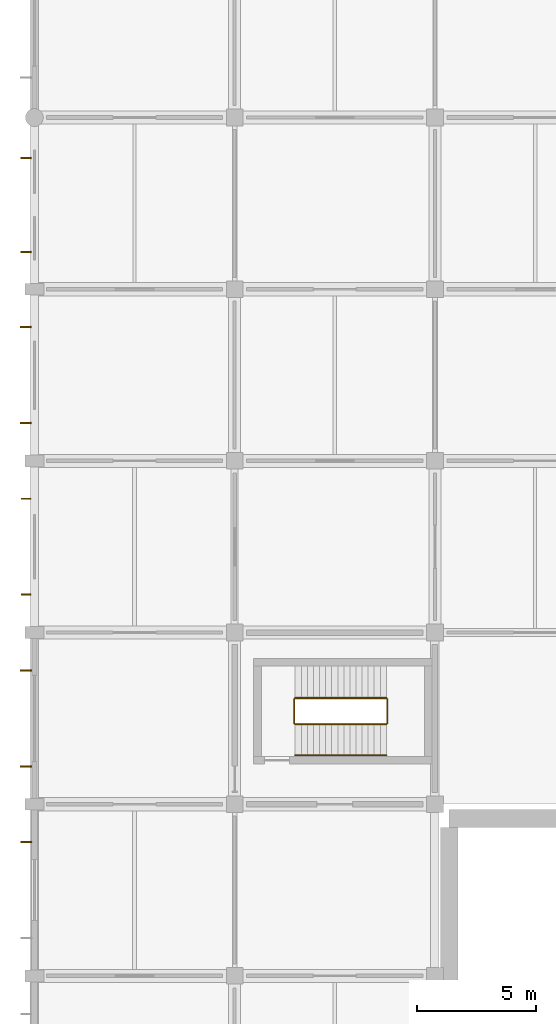
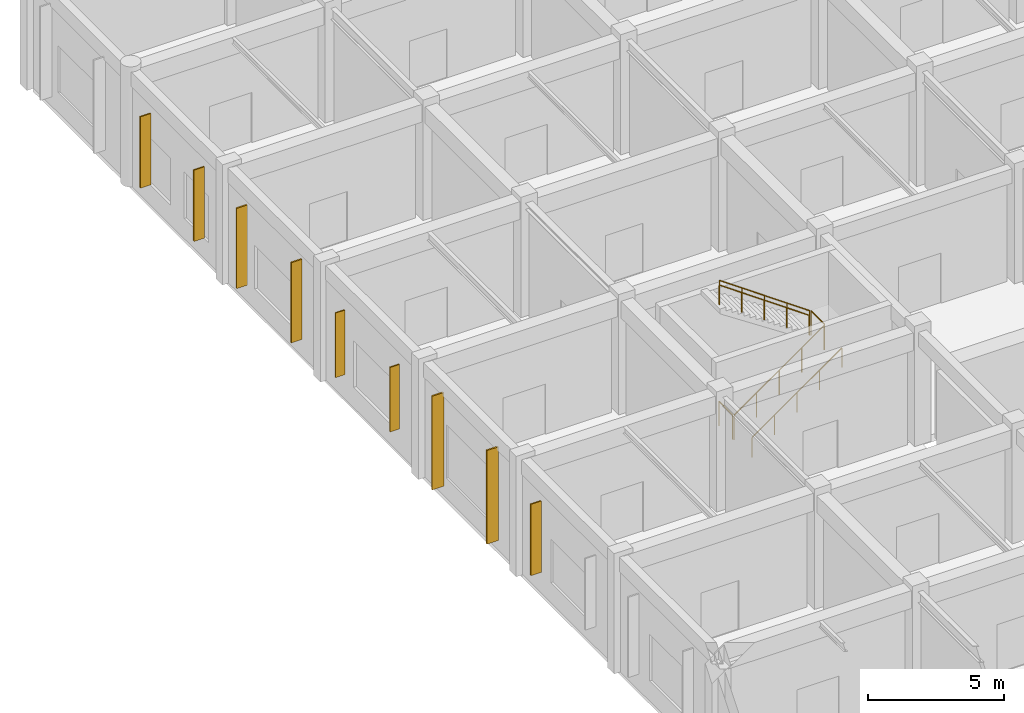
# One storey, part 34 of 41: 9 shading devices, 6 railings.
"""IFC4 building model written with IfcOpenShell, lengths in metres."""

from ifc_helpers import new_model, si_unit, derived_unit, direction, frame, origin, origin_2d, place, context, subcontext, project, spatial, rectangle, circle, extrude, material, layer, layer_set, type_object, element, save


model = new_model("IFC4")

# Units and contexts
model_context = context("Model", 3, precision=1e-05, world=origin(), true_north=direction((0.0, 1.0)))
body_context = subcontext(model_context, "Body", "Model", "MODEL_VIEW")
ifc_project = project(units=[si_unit("LENGTHUNIT", "METRE"), si_unit("AREAUNIT", "SQUARE_METRE"), si_unit("VOLUMEUNIT", "CUBIC_METRE"), si_unit("PLANEANGLEUNIT", "RADIAN"), si_unit("MASSUNIT", "GRAM", prefix="KILO"), derived_unit("THERMALTRANSMITTANCEUNIT", [(si_unit("MASSUNIT", "GRAM", prefix="KILO"), 1), (si_unit("TIMEUNIT", "SECOND"), -3), (si_unit("THERMODYNAMICTEMPERATUREUNIT", "KELVIN"), -1)])], contexts=[model_context])

# Site, building, storey
site_placement = place(None, origin())
site = spatial("IfcSite", under=ifc_project, at=site_placement, CompositionType="ELEMENT")
building_placement = place(site_placement, origin())
building = spatial("IfcBuilding", under=site, at=building_placement, Name="Veldstrom Oceanarium and Marine Research Institute", CompositionType="ELEMENT")
storey_placement = place(building_placement, frame((0.0, 0.0, 6.0)))
storey = spatial("IfcBuildingStorey", under=building, at=storey_placement, Name="L01", CompositionType="ELEMENT", Elevation=6.0)

# Railings
ifc_material_1 = material(Name="Duplex Stainless Steel Balustrade", Category="steel")
ifc_layer_1 = layer(ifc_material_1, 0.06005859375)
ifc_layer_set_1 = layer_set([ifc_layer_1], Name="ARC-RLG-GR1")
railing_type_1 = type_object("IfcRailingType", Name="ARC-RLG-GR1", PredefinedType="GUARDRAIL", material=ifc_layer_set_1)
railing_1_placement = place(storey_placement, frame((10.89990234375, 39.39990234375, 0.0)))
element("IfcRailing", 1, at=railing_1_placement, inside=storey, type_object=railing_type_1, Name="Stair Well Landing Guard ST3 L01", PredefinedType="GUARDRAIL", context=body_context, shape_type="SweptSolid", body=[
    extrude(circle(Radius=0.02392578125, at=origin_2d()), frame((0.0, 0.0, 1.09619140625), z_axis=(0.0, 1.0, 0.0), x_axis=(-1.0, 0.0, 0.0)), (0.0, 0.0, 1.0), 1.0),
    extrude(circle(Radius=0.02099609375, at=origin_2d()), origin(), (0.0, 0.0, 1.0), 1.072021484375),
    extrude(circle(Radius=0.02099609375, at=origin_2d()), frame((0.0, 1.0, 0.0)), (0.0, 0.0, 1.0), 1.072021484375),
])
railing_2_placement = place(storey_placement, frame((10.93994140625, 39.360107421875, 0.0)))
element("IfcRailing", 2, at=railing_2_placement, inside=storey, type_object=railing_type_1, Name="Stair Flight Guardrail ST3-L01-1", PredefinedType="GUARDRAIL", context=body_context, shape_type="SweptSolid", body=[
    extrude(circle(Radius=0.02392578125, at=origin_2d()), frame((0.0, 0.0, 1.09619140625), z_axis=(0.816969308413, 0.0, 0.5766811503), x_axis=(0.0, 1.0, 0.0)), (0.0, 0.0, 1.0), 4.681884765625),
    extrude(circle(Radius=0.02099609375, at=origin_2d()), origin(), (0.0, 0.0, 1.0), 1.072021484375),
    extrude(circle(Radius=0.02099609375, at=origin_2d()), frame((0.956298828125, 0.0, 0.675048828125)), (0.0, 0.0, 1.0), 1.072021484375),
    extrude(circle(Radius=0.02099609375, at=origin_2d()), frame((1.91259765625, 0.0, 1.35009765625)), (0.0, 0.0, 1.0), 1.072021484375),
    extrude(circle(Radius=0.02099609375, at=origin_2d()), frame((2.86865234375, 0.0, 2.02490234375)), (0.0, 0.0, 1.0), 1.072021484375),
    extrude(circle(Radius=0.02099609375, at=origin_2d()), frame((3.824951171875, 0.0, 2.699951171875)), (0.0, 0.0, 1.0), 1.072021484375),
])
railing_3_placement = place(storey_placement, frame((14.804931640625, 39.39990234375, 2.699951171875)))
element("IfcRailing", 3, at=railing_3_placement, inside=storey, type_object=railing_type_1, Name="Stair Half-Landing Guardrail ST3-L01", PredefinedType="GUARDRAIL", context=body_context, shape_type="SweptSolid", body=[
    extrude(circle(Radius=0.02392578125, at=origin_2d()), frame((0.0, 0.0, 1.09619140625), z_axis=(0.0, 1.0, 0.0), x_axis=(-1.0, 0.0, 0.0)), (0.0, 0.0, 1.0), 1.0),
    extrude(circle(Radius=0.02099609375, at=origin_2d()), origin(), (0.0, 0.0, 1.0), 1.072021484375),
    extrude(circle(Radius=0.02099609375, at=origin_2d()), frame((0.0, 1.0, 0.0)), (0.0, 0.0, 1.0), 1.072021484375),
])
railing_4_placement = place(storey_placement, frame((14.764892578125, 40.43994140625, 2.699951171875)))
element("IfcRailing", 4, at=railing_4_placement, inside=storey, type_object=railing_type_1, Name="Stair Flight Guardrail ST3-L01-2", PredefinedType="GUARDRAIL", context=body_context, shape_type="SweptSolid", body=[
    extrude(circle(Radius=0.02392578125, at=origin_2d()), frame((0.0, 0.0, 1.09619140625), z_axis=(-0.816969308413, 0.0, 0.5766811503), x_axis=(0.0, -1.0, 0.0)), (0.0, 0.0, 1.0), 4.681884765625),
    extrude(circle(Radius=0.02099609375, at=origin_2d()), origin(), (0.0, 0.0, 1.0), 1.072021484375),
    extrude(circle(Radius=0.02099609375, at=origin_2d()), frame((-0.956298828125, 0.0, 0.675048828125)), (0.0, 0.0, 1.0), 1.072021484375),
    extrude(circle(Radius=0.02099609375, at=origin_2d()), frame((-1.91259765625, 0.0, 1.35009765625)), (0.0, 0.0, 1.0), 1.072021484375),
    extrude(circle(Radius=0.02099609375, at=origin_2d()), frame((-2.86865234375, 0.0, 2.02490234375)), (0.0, 0.0, 1.0), 1.072021484375),
    extrude(circle(Radius=0.02099609375, at=origin_2d()), frame((-3.824951171875, 0.0, 2.699951171875)), (0.0, 0.0, 1.0), 1.072021484375),
])
ifc_material_2 = material(Name="Brushed Stainless Steel Handrail", Category="steel")
ifc_layer_2 = layer(ifc_material_2, 0.050048828125)
ifc_layer_set_2 = layer_set([ifc_layer_2], Name="ARC-RLG-HR1")
railing_type_2 = type_object("IfcRailingType", Name="ARC-RLG-HR1", PredefinedType="HANDRAIL", material=ifc_layer_set_2)
railing_5_placement = place(storey_placement, frame((10.93994140625, 38.06005859375, 0.0)))
element("IfcRailing", 5, at=railing_5_placement, inside=storey, type_object=railing_type_2, Name="Stair Wall Handrail ST3-L01-1", PredefinedType="HANDRAIL", context=body_context, shape_type="SweptSolid", body=[
    extrude(circle(Radius=0.02392578125, at=origin_2d()), frame((0.0, 0.0, 0.8759765625), z_axis=(0.816969308413, 0.0, 0.5766811503), x_axis=(0.0, 1.0, 0.0)), (0.0, 0.0, 1.0), 4.681884765625),
    extrude(circle(Radius=0.02099609375, at=origin_2d()), origin(), (0.0, 0.0, 1.0), 0.851806640625),
    extrude(circle(Radius=0.02099609375, at=origin_2d()), frame((0.956298828125, 0.0, 0.675048828125)), (0.0, 0.0, 1.0), 0.851806640625),
    extrude(circle(Radius=0.02099609375, at=origin_2d()), frame((1.91259765625, 0.0, 1.35009765625)), (0.0, 0.0, 1.0), 0.851806640625),
    extrude(circle(Radius=0.02099609375, at=origin_2d()), frame((2.86865234375, 0.0, 2.02490234375)), (0.0, 0.0, 1.0), 0.851806640625),
    extrude(circle(Radius=0.02099609375, at=origin_2d()), frame((3.824951171875, 0.0, 2.699951171875)), (0.0, 0.0, 1.0), 0.851806640625),
])
railing_6_placement = place(storey_placement, frame((14.764892578125, 40.4599609375, 2.699951171875)))
element("IfcRailing", 6, at=railing_6_placement, inside=storey, type_object=railing_type_2, Name="Stair Wall Handrail ST3-L01-2", PredefinedType="HANDRAIL", context=body_context, shape_type="SweptSolid", body=[
    extrude(circle(Radius=0.02392578125, at=origin_2d()), frame((0.0, 0.0, 0.8759765625), z_axis=(-0.816969308413, 0.0, 0.5766811503), x_axis=(0.0, -1.0, 0.0)), (0.0, 0.0, 1.0), 4.681884765625),
    extrude(circle(Radius=0.02099609375, at=origin_2d()), origin(), (0.0, 0.0, 1.0), 0.851806640625),
    extrude(circle(Radius=0.02099609375, at=origin_2d()), frame((-0.956298828125, 0.0, 0.675048828125)), (0.0, 0.0, 1.0), 0.851806640625),
    extrude(circle(Radius=0.02099609375, at=origin_2d()), frame((-1.91259765625, 0.0, 1.35009765625)), (0.0, 0.0, 1.0), 0.851806640625),
    extrude(circle(Radius=0.02099609375, at=origin_2d()), frame((-2.86865234375, 0.0, 2.02490234375)), (0.0, 0.0, 1.0), 0.851806640625),
    extrude(circle(Radius=0.02099609375, at=origin_2d()), frame((-3.824951171875, 0.0, 2.699951171875)), (0.0, 0.0, 1.0), 0.851806640625),
])

# Shading devices
ifc_material_3 = material(Name="Precast Terracotta Brise-Soleil Louvre", Category="masonry")
ifc_layer_3 = layer(ifc_material_3, 3.60009765625)
ifc_layer_set_3 = layer_set([ifc_layer_3], Name="ARC-SHD-BS01")
shading_device_type_1 = type_object("IfcShadingDeviceType", Name="ARC-SHD-BS01", PredefinedType="JALOUSIE", material=ifc_layer_set_3)
for number, where, z_axis, x_axis, name in (
    (7, (-0.364990234375, 51.989990234375, 0.737548828125), (0.0, 0.0, 1.0), (1.0, 0.0, 0.0), "Terracotta Brise-Soleil Louvre L01-028"),
    (8, (-0.364990234375, 56.010009765625, 0.737548828125), (0.0, 0.0, 1.0), (1.0, 0.0, 0.0), "Terracotta Brise-Soleil Louvre L01-028"),
):
    element("IfcShadingDevice", number, at=place(storey_placement, frame(where, z_axis=z_axis, x_axis=x_axis)), inside=storey, type_object=shading_device_type_1, Name=name, PredefinedType="JALOUSIE", context=body_context, shape_type="SweptSolid", body=[
        extrude(rectangle(XDim=0.449951171875, YDim=0.06005859375, at=origin_2d()), origin(), (0.0, 0.0, 1.0), 3.60009765625),
    ])
ifc_material_4 = material(Name="Precast Terracotta Brise-Soleil Louvre", Category="masonry")
ifc_layer_4 = layer(ifc_material_4, 3.199951171875)
ifc_layer_set_4 = layer_set([ifc_layer_4], Name="ARC-SHD-BS02")
shading_device_type_2 = type_object("IfcShadingDeviceType", Name="ARC-SHD-BS02", PredefinedType="JALOUSIE", material=ifc_layer_set_4)
for number, where, z_axis, x_axis, name in (
    (9, (-0.344970703125, 34.409912109375, 0.9375), (0.0, 0.0, 1.0), (1.0, 0.0, 0.0), "Terracotta Brise-Soleil Louvre L01-025"),
    (10, (-0.35498046875, 59.1650390625, 0.9375), (0.0, 0.0, 1.0), (1.0, 0.0, 0.0), "Terracotta Brise-Soleil Louvre L01-029"),
    (11, (-0.35498046875, 63.110107421875, 0.9375), (0.0, 0.0, 1.0), (1.0, 0.0, 0.0), "Terracotta Brise-Soleil Louvre L01-029"),
):
    element("IfcShadingDevice", number, at=place(storey_placement, frame(where, z_axis=z_axis, x_axis=x_axis)), inside=storey, type_object=shading_device_type_2, Name=name, PredefinedType="JALOUSIE", context=body_context, shape_type="SweptSolid", body=[
        extrude(rectangle(XDim=0.449951171875, YDim=0.06005859375, at=origin_2d()), origin(), (0.0, 0.0, 1.0), 3.199951171875),
    ])
ifc_material_5 = material(Name="Precast Terracotta Brise-Soleil Louvre", Category="masonry")
ifc_layer_5 = layer(ifc_material_5, 4.199951171875)
ifc_layer_set_5 = layer_set([ifc_layer_5], Name="ARC-SHD-BS03")
shading_device_type_3 = type_object("IfcShadingDeviceType", Name="ARC-SHD-BS03", PredefinedType="JALOUSIE", material=ifc_layer_set_5)
for number, where, z_axis, x_axis, name in (
    (12, (-0.3525390625, 37.590087890625, 0.4375), (0.0, 0.0, 1.0), (1.0, 0.0, 0.0), "Terracotta Brise-Soleil Louvre L01-026"),
    (13, (-0.3525390625, 41.610107421875, 0.4375), (0.0, 0.0, 1.0), (1.0, 0.0, 0.0), "Terracotta Brise-Soleil Louvre L01-026"),
):
    element("IfcShadingDevice", number, at=place(storey_placement, frame(where, z_axis=z_axis, x_axis=x_axis)), inside=storey, type_object=shading_device_type_3, Name=name, PredefinedType="JALOUSIE", context=body_context, shape_type="SweptSolid", body=[
        extrude(rectangle(XDim=0.5, YDim=0.06494140625, at=origin_2d()), origin(), (0.0, 0.0, 1.0), 4.199951171875),
    ])
ifc_material_6 = material(Name="Precast Terracotta Brise-Soleil Louvre", Category="masonry")
ifc_layer_6 = layer(ifc_material_6, 2.89990234375)
ifc_layer_set_6 = layer_set([ifc_layer_6], Name="ARC-SHD-BS04")
shading_device_type_4 = type_object("IfcShadingDeviceType", Name="ARC-SHD-BS04", PredefinedType="JALOUSIE", material=ifc_layer_set_6)
for number, where, z_axis, x_axis, name in (
    (14, (-0.35009765625, 44.7900390625, 1.087646484375), (0.0, 0.0, 1.0), (1.0, 0.0, 0.0), "Terracotta Brise-Soleil Louvre L01-027"),
    (15, (-0.35009765625, 48.81005859375, 1.087646484375), (0.0, 0.0, 1.0), (1.0, 0.0, 0.0), "Terracotta Brise-Soleil Louvre L01-027"),
):
    element("IfcShadingDevice", number, at=place(storey_placement, frame(where, z_axis=z_axis, x_axis=x_axis)), inside=storey, type_object=shading_device_type_4, Name=name, PredefinedType="JALOUSIE", context=body_context, shape_type="SweptSolid", body=[
        extrude(rectangle(XDim=0.39990234375, YDim=0.054931640625, at=origin_2d()), origin(), (0.0, 0.0, 1.0), 2.89990234375),
    ])

save(model, "model.ifc")
